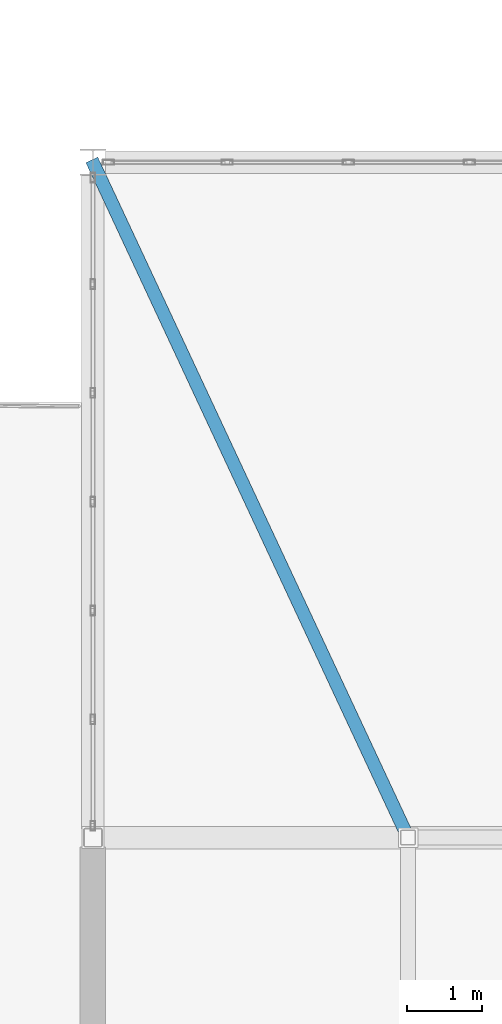
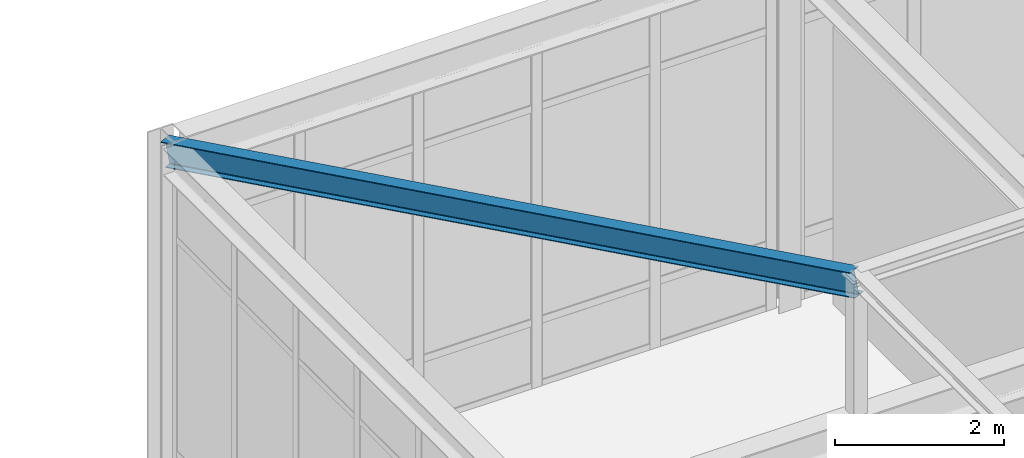
# One storey, part 65 of 121: 1 beam.
"""IFC4 building model written with IfcOpenShell, lengths in metres."""

from ifc_helpers import new_model, si_unit, direction, frame, origin, origin_2d, place, context, subcontext, project, spatial, i_section, extrude, material, material_profile, profile_set, type_object, element, save


model = new_model("IFC4")

# Units and contexts
model_context = context("Model", 3, precision=1e-05, world=origin(), true_north=direction((0.0, 1.0)))
body_context = subcontext(model_context, "Body", "Model", "MODEL_VIEW")
ifc_project = project(units=[si_unit("LENGTHUNIT", "METRE"), si_unit("AREAUNIT", "SQUARE_METRE"), si_unit("VOLUMEUNIT", "CUBIC_METRE"), si_unit("PLANEANGLEUNIT", "RADIAN"), si_unit("MASSUNIT", "GRAM", prefix="KILO")], contexts=[model_context])

# Site, building, storey
site_placement = place(None, origin())
site = spatial("IfcSite", under=ifc_project, at=site_placement, CompositionType="ELEMENT")
building_placement = place(site_placement, origin())
building = spatial("IfcBuilding", under=site, at=building_placement, Name="Canglan Escarpment Cableway Terminal", CompositionType="ELEMENT")
storey_placement = place(building_placement, frame((0.0, 0.0, 24.60009765625)))
storey = spatial("IfcBuildingStorey", under=building, at=storey_placement, Name="L05", CompositionType="ELEMENT", Elevation=24.60009765625)

# Beam
ifc_material = material(Name="Steel Q355B", Category="steel")
ifc_material_profile = material_profile(ifc_material, i_section(OverallWidth=0.175048828125, OverallDepth=0.35009765625, WebThickness=0.007080078125, FlangeThickness=0.010986328125, FilletRadius=0.013916015625, at=origin_2d()), Name="HN 350x175x7x11")
ifc_profile_set = profile_set([ifc_material_profile], Name="Steel Q355B")
beam_type = type_object("IfcBeamType", Name="BM-HIP-RAFTER-HN350", PredefinedType="BEAM", material=ifc_profile_set)
beam_placement = place(storey_placement, frame((119.89990234375, 115.0, 5.139892578125), z_axis=(0.413753010148, -0.886572364921, 0.206876505074), x_axis=(0.906175603891, 0.422901613751, 0.0)))
element("IfcBeam", 1, at=beam_placement, inside=storey, type_object=beam_type, Name="Drive House hip rafter RF-B1", PredefinedType="BEAM", context=body_context, shape_type="SweptSolid", body=[
    extrude(i_section(OverallWidth=0.175048828125, OverallDepth=0.35009765625, WebThickness=0.007080078125, FlangeThickness=0.010986328125, FilletRadius=0.013916015625, at=origin_2d()), origin(), (0.0, 0.0, 1.0), 10.1513671875),
])

save(model, "model.ifc")
